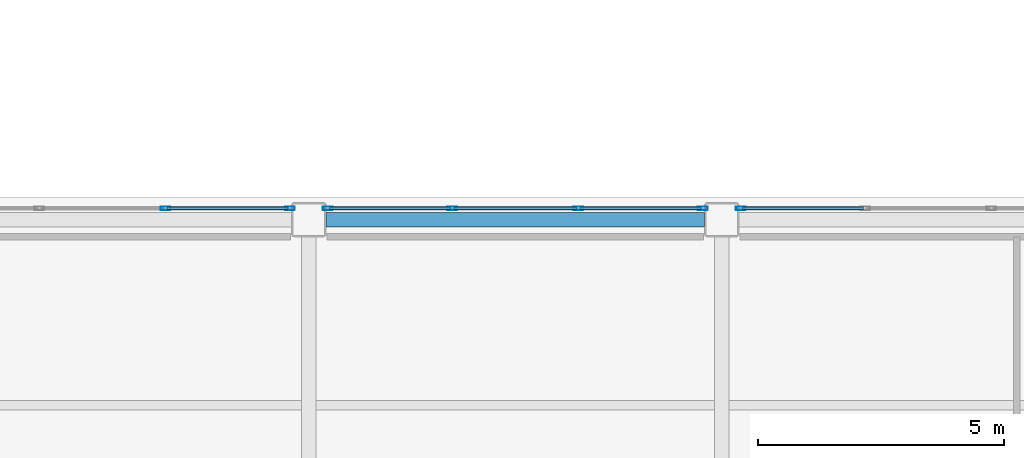
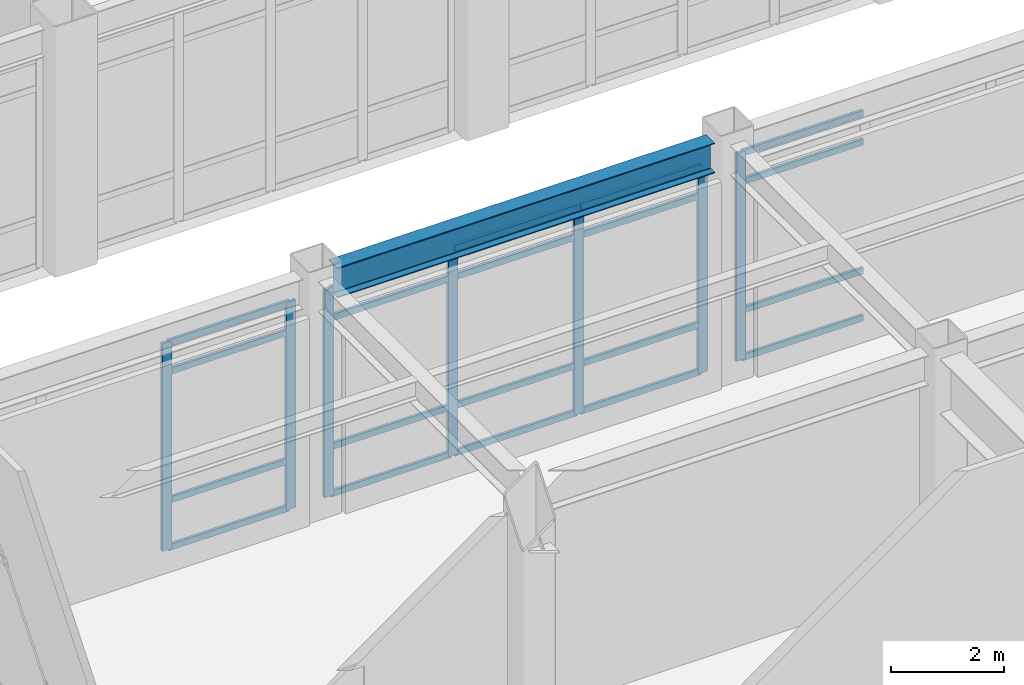
# One storey, part 27 of 165: 27 members, 1 beam, 3 elements without a shape of their own.
"""IFC4 building model written with IfcOpenShell, lengths in metres."""

from ifc_helpers import new_model, si_unit, direction, frame, origin, origin_2d, place, context, subcontext, project, spatial, hollow_rectangle, i_section, extrude, material, layer, layer_set, material_profile, profile_set, type_object, element, aggregate, save


model = new_model("IFC4")

# Units and contexts
model_context = context("Model", 3, precision=1e-05, world=origin(), true_north=direction((0.0, 1.0)))
body_context = subcontext(model_context, "Body", "Model", "MODEL_VIEW")
ifc_project = project(units=[si_unit("LENGTHUNIT", "METRE"), si_unit("AREAUNIT", "SQUARE_METRE"), si_unit("VOLUMEUNIT", "CUBIC_METRE"), si_unit("PLANEANGLEUNIT", "RADIAN"), si_unit("MASSUNIT", "GRAM", prefix="KILO")], contexts=[model_context])

# Site, building, storey
site_placement = place(None, origin())
site = spatial("IfcSite", under=ifc_project, at=site_placement, CompositionType="ELEMENT")
building_placement = place(site_placement, origin())
building = spatial("IfcBuilding", under=site, at=building_placement, Name="Kazehara Bluff Congress Hotel", CompositionType="ELEMENT")
storey_placement = place(building_placement, origin())
storey = spatial("IfcBuildingStorey", under=building, at=storey_placement, Name="L00", CompositionType="ELEMENT", Elevation=0.0)

# Curtain wall, members
ifc_material_1 = material(Name="Anodised aluminium", Category="aluminium")
ifc_layer = layer(ifc_material_1, 0.159912109375)
ifc_layer_set = layer_set([ifc_layer], Name="Anodised aluminium")
curtain_wall_type = type_object("IfcCurtainWallType", Name="TP-CW-26", PredefinedType="NOTDEFINED", material=ifc_layer_set)
curtain_wall_1_placement = place(storey_placement, origin())
curtain_wall_1 = element("IfcCurtainWall", 1, at=curtain_wall_1_placement, inside=storey, type_object=curtain_wall_type, Name="L00 curtain wall CW-26 CW-ENC-V2-L00-2940-3978", PredefinedType="NOTDEFINED")
ifc_material_2 = material(Name="Anodised aluminium", Category="aluminium")
ifc_material_profile_1 = material_profile(ifc_material_2, hollow_rectangle(XDim=0.070068359375, YDim=0.199951171875, WallThickness=0.0048828125, InnerFilletRadius=0.0048828125, OuterFilletRadius=0.010009765625, at=origin_2d()))
ifc_profile_set_1 = profile_set([ifc_material_profile_1], Name="Anodised aluminium")
member_type_1 = type_object("IfcMemberType", Name="TP-CWM-03", PredefinedType="MULLION", material=ifc_profile_set_1)
member_1_placement = place(storey_placement, frame((30.683349609375, 39.780029296875, 0.0), z_axis=(0.0, 0.0, 1.0), x_axis=(0.0, 1.0, 0.0)))
member_1 = element("IfcMember", 2, at=member_1_placement, type_object=member_type_1, Name="CW-26 mullion 3", PredefinedType="MULLION", context=body_context, shape_type="SweptSolid", body=[
    extrude(hollow_rectangle(XDim=0.070068359375, YDim=0.199951171875, WallThickness=0.0048828125, InnerFilletRadius=0.0048828125, OuterFilletRadius=0.010009765625, at=origin_2d()), origin(), (0.0, 0.0, 1.0), 4.47509765625),
])
member_2_placement = place(storey_placement, frame((33.215087890625, 39.780029296875, 0.0), z_axis=(0.0, 0.0, 1.0), x_axis=(0.0, 1.0, 0.0)))
member_2 = element("IfcMember", 3, at=member_2_placement, type_object=member_type_1, Name="CW-26 mullion 4", PredefinedType="MULLION", context=body_context, shape_type="SweptSolid", body=[
    extrude(hollow_rectangle(XDim=0.070068359375, YDim=0.199951171875, WallThickness=0.0048828125, InnerFilletRadius=0.0048828125, OuterFilletRadius=0.010009765625, at=origin_2d()), origin(), (0.0, 0.0, 1.0), 4.47509765625),
])

curtain_wall_2_placement = place(storey_placement, origin())
curtain_wall_2 = element("IfcCurtainWall", 4, at=curtain_wall_2_placement, inside=storey, type_object=curtain_wall_type, Name="L00 curtain wall CW-26 CW-ENC-V2-L00-3780-3978", PredefinedType="NOTDEFINED")
member_3_placement = place(storey_placement, frame((33.985107421875, 39.780029296875, 0.0), z_axis=(0.0, 0.0, 1.0), x_axis=(0.0, 1.0, 0.0)))
member_3 = element("IfcMember", 5, at=member_3_placement, type_object=member_type_1, Name="CW-26 mullion 1", PredefinedType="MULLION", context=body_context, shape_type="SweptSolid", body=[
    extrude(hollow_rectangle(XDim=0.070068359375, YDim=0.199951171875, WallThickness=0.0048828125, InnerFilletRadius=0.0048828125, OuterFilletRadius=0.010009765625, at=origin_2d()), origin(), (0.0, 0.0, 1.0), 4.47509765625),
])
member_4_placement = place(storey_placement, frame((36.5166015625, 39.780029296875, 0.0), z_axis=(0.0, 0.0, 1.0), x_axis=(0.0, 1.0, 0.0)))
member_4 = element("IfcMember", 6, at=member_4_placement, type_object=member_type_1, Name="CW-26 mullion 2", PredefinedType="MULLION", context=body_context, shape_type="SweptSolid", body=[
    extrude(hollow_rectangle(XDim=0.070068359375, YDim=0.199951171875, WallThickness=0.0048828125, InnerFilletRadius=0.0048828125, OuterFilletRadius=0.010009765625, at=origin_2d()), origin(), (0.0, 0.0, 1.0), 4.47509765625),
])
member_5_placement = place(storey_placement, frame((39.083251953125, 39.780029296875, 0.0), z_axis=(0.0, 0.0, 1.0), x_axis=(0.0, 1.0, 0.0)))
member_5 = element("IfcMember", 7, at=member_5_placement, type_object=member_type_1, Name="CW-26 mullion 3", PredefinedType="MULLION", context=body_context, shape_type="SweptSolid", body=[
    extrude(hollow_rectangle(XDim=0.070068359375, YDim=0.199951171875, WallThickness=0.0048828125, InnerFilletRadius=0.0048828125, OuterFilletRadius=0.010009765625, at=origin_2d()), origin(), (0.0, 0.0, 1.0), 4.47509765625),
])
member_6_placement = place(storey_placement, frame((41.614990234375, 39.780029296875, 0.0), z_axis=(0.0, 0.0, 1.0), x_axis=(0.0, 1.0, 0.0)))
member_6 = element("IfcMember", 8, at=member_6_placement, type_object=member_type_1, Name="CW-26 mullion 4", PredefinedType="MULLION", context=body_context, shape_type="SweptSolid", body=[
    extrude(hollow_rectangle(XDim=0.070068359375, YDim=0.199951171875, WallThickness=0.0048828125, InnerFilletRadius=0.0048828125, OuterFilletRadius=0.010009765625, at=origin_2d()), origin(), (0.0, 0.0, 1.0), 4.47509765625),
])

# Curtain wall, member
curtain_wall_3_placement = place(storey_placement, origin())
curtain_wall_3 = element("IfcCurtainWall", 9, at=curtain_wall_3_placement, inside=storey, type_object=curtain_wall_type, Name="L00 curtain wall CW-26 CW-ENC-V2-L00-4620-3978", PredefinedType="NOTDEFINED")
member_7_placement = place(storey_placement, frame((42.385009765625, 39.780029296875, 0.0), z_axis=(0.0, 0.0, 1.0), x_axis=(0.0, 1.0, 0.0)))
member_7 = element("IfcMember", 10, at=member_7_placement, type_object=member_type_1, Name="CW-26 mullion 1", PredefinedType="MULLION", context=body_context, shape_type="SweptSolid", body=[
    extrude(hollow_rectangle(XDim=0.070068359375, YDim=0.199951171875, WallThickness=0.0048828125, InnerFilletRadius=0.0048828125, OuterFilletRadius=0.010009765625, at=origin_2d()), origin(), (0.0, 0.0, 1.0), 4.47509765625),
])

# Member
ifc_material_3 = material(Name="Anodised aluminium", Category="aluminium")
ifc_material_profile_2 = material_profile(ifc_material_3, hollow_rectangle(XDim=0.06494140625, YDim=0.139892578125, WallThickness=0.00390625, InnerFilletRadius=0.00390625, OuterFilletRadius=0.008056640625, at=origin_2d()))
ifc_profile_set_2 = profile_set([ifc_material_profile_2], Name="Anodised aluminium")
member_type_2 = type_object("IfcMemberType", Name="TP-CWT-02", PredefinedType="USERDEFINED", material=ifc_profile_set_2)
member_8_placement = place(storey_placement, frame((30.71826171875, 39.780029296875, 0.032470703125), z_axis=(1.0, 0.0, 0.0), x_axis=(0.0, 1.0, 0.0)))
member_8 = element("IfcMember", 11, at=member_8_placement, type_object=member_type_2, Name="CW-26 transom 3.1", ObjectType="TRANSOM", PredefinedType="USERDEFINED", context=body_context, shape_type="SweptSolid", body=[
    extrude(hollow_rectangle(XDim=0.06494140625, YDim=0.139892578125, WallThickness=0.00390625, InnerFilletRadius=0.00390625, OuterFilletRadius=0.008056640625, at=origin_2d()), origin(), (0.0, 0.0, 1.0), 2.461669921875),
])

member_9_placement = place(storey_placement, frame((30.71826171875, 39.780029296875, 1.050048828125), z_axis=(1.0, 0.0, 0.0), x_axis=(0.0, 1.0, 0.0)))
member_9 = element("IfcMember", 12, at=member_9_placement, type_object=member_type_2, Name="CW-26 transom 3.2", ObjectType="TRANSOM", PredefinedType="USERDEFINED", context=body_context, shape_type="SweptSolid", body=[
    extrude(hollow_rectangle(XDim=0.06494140625, YDim=0.139892578125, WallThickness=0.00390625, InnerFilletRadius=0.00390625, OuterFilletRadius=0.008056640625, at=origin_2d()), origin(), (0.0, 0.0, 1.0), 2.461669921875),
])

member_10_placement = place(storey_placement, frame((30.71826171875, 39.780029296875, 3.824951171875), z_axis=(1.0, 0.0, 0.0), x_axis=(0.0, 1.0, 0.0)))
member_10 = element("IfcMember", 13, at=member_10_placement, type_object=member_type_2, Name="CW-26 transom 3.3", ObjectType="TRANSOM", PredefinedType="USERDEFINED", context=body_context, shape_type="SweptSolid", body=[
    extrude(hollow_rectangle(XDim=0.06494140625, YDim=0.139892578125, WallThickness=0.00390625, InnerFilletRadius=0.00390625, OuterFilletRadius=0.008056640625, at=origin_2d()), origin(), (0.0, 0.0, 1.0), 2.461669921875),
])

member_11_placement = place(storey_placement, frame((30.71826171875, 39.780029296875, 4.4423828125), z_axis=(1.0, 0.0, 0.0), x_axis=(0.0, 1.0, 0.0)))
member_11 = element("IfcMember", 14, at=member_11_placement, type_object=member_type_2, Name="CW-26 transom 3.4", ObjectType="TRANSOM", PredefinedType="USERDEFINED", context=body_context, shape_type="SweptSolid", body=[
    extrude(hollow_rectangle(XDim=0.06494140625, YDim=0.139892578125, WallThickness=0.00390625, InnerFilletRadius=0.00390625, OuterFilletRadius=0.008056640625, at=origin_2d()), origin(), (0.0, 0.0, 1.0), 2.461669921875),
])

aggregate(curtain_wall_1, [member_1, member_2, member_8, member_9, member_10, member_11])

member_12_placement = place(storey_placement, frame((34.02001953125, 39.780029296875, 0.032470703125), z_axis=(1.0, 0.0, 0.0), x_axis=(0.0, 1.0, 0.0)))
member_12 = element("IfcMember", 15, at=member_12_placement, type_object=member_type_2, Name="CW-26 transom 1.1", ObjectType="TRANSOM", PredefinedType="USERDEFINED", context=body_context, shape_type="SweptSolid", body=[
    extrude(hollow_rectangle(XDim=0.06494140625, YDim=0.139892578125, WallThickness=0.00390625, InnerFilletRadius=0.00390625, OuterFilletRadius=0.008056640625, at=origin_2d()), origin(), (0.0, 0.0, 1.0), 2.461669921875),
])

member_13_placement = place(storey_placement, frame((34.02001953125, 39.780029296875, 1.050048828125), z_axis=(1.0, 0.0, 0.0), x_axis=(0.0, 1.0, 0.0)))
member_13 = element("IfcMember", 16, at=member_13_placement, type_object=member_type_2, Name="CW-26 transom 1.2", ObjectType="TRANSOM", PredefinedType="USERDEFINED", context=body_context, shape_type="SweptSolid", body=[
    extrude(hollow_rectangle(XDim=0.06494140625, YDim=0.139892578125, WallThickness=0.00390625, InnerFilletRadius=0.00390625, OuterFilletRadius=0.008056640625, at=origin_2d()), origin(), (0.0, 0.0, 1.0), 2.461669921875),
])

member_14_placement = place(storey_placement, frame((34.02001953125, 39.780029296875, 3.824951171875), z_axis=(1.0, 0.0, 0.0), x_axis=(0.0, 1.0, 0.0)))
member_14 = element("IfcMember", 17, at=member_14_placement, type_object=member_type_2, Name="CW-26 transom 1.3", ObjectType="TRANSOM", PredefinedType="USERDEFINED", context=body_context, shape_type="SweptSolid", body=[
    extrude(hollow_rectangle(XDim=0.06494140625, YDim=0.139892578125, WallThickness=0.00390625, InnerFilletRadius=0.00390625, OuterFilletRadius=0.008056640625, at=origin_2d()), origin(), (0.0, 0.0, 1.0), 2.461669921875),
])

member_15_placement = place(storey_placement, frame((34.02001953125, 39.780029296875, 4.4423828125), z_axis=(1.0, 0.0, 0.0), x_axis=(0.0, 1.0, 0.0)))
member_15 = element("IfcMember", 18, at=member_15_placement, type_object=member_type_2, Name="CW-26 transom 1.4", ObjectType="TRANSOM", PredefinedType="USERDEFINED", context=body_context, shape_type="SweptSolid", body=[
    extrude(hollow_rectangle(XDim=0.06494140625, YDim=0.139892578125, WallThickness=0.00390625, InnerFilletRadius=0.00390625, OuterFilletRadius=0.008056640625, at=origin_2d()), origin(), (0.0, 0.0, 1.0), 2.461669921875),
])

member_16_placement = place(storey_placement, frame((36.5517578125, 39.780029296875, 0.032470703125), z_axis=(1.0, 0.0, 0.0), x_axis=(0.0, 1.0, 0.0)))
member_16 = element("IfcMember", 19, at=member_16_placement, type_object=member_type_2, Name="CW-26 transom 2.1", ObjectType="TRANSOM", PredefinedType="USERDEFINED", context=body_context, shape_type="SweptSolid", body=[
    extrude(hollow_rectangle(XDim=0.06494140625, YDim=0.139892578125, WallThickness=0.00390625, InnerFilletRadius=0.00390625, OuterFilletRadius=0.008056640625, at=origin_2d()), origin(), (0.0, 0.0, 1.0), 2.49658203125),
])

member_17_placement = place(storey_placement, frame((36.5517578125, 39.780029296875, 1.050048828125), z_axis=(1.0, 0.0, 0.0), x_axis=(0.0, 1.0, 0.0)))
member_17 = element("IfcMember", 20, at=member_17_placement, type_object=member_type_2, Name="CW-26 transom 2.2", ObjectType="TRANSOM", PredefinedType="USERDEFINED", context=body_context, shape_type="SweptSolid", body=[
    extrude(hollow_rectangle(XDim=0.06494140625, YDim=0.139892578125, WallThickness=0.00390625, InnerFilletRadius=0.00390625, OuterFilletRadius=0.008056640625, at=origin_2d()), origin(), (0.0, 0.0, 1.0), 2.49658203125),
])

member_18_placement = place(storey_placement, frame((36.5517578125, 39.780029296875, 3.824951171875), z_axis=(1.0, 0.0, 0.0), x_axis=(0.0, 1.0, 0.0)))
member_18 = element("IfcMember", 21, at=member_18_placement, type_object=member_type_2, Name="CW-26 transom 2.3", ObjectType="TRANSOM", PredefinedType="USERDEFINED", context=body_context, shape_type="SweptSolid", body=[
    extrude(hollow_rectangle(XDim=0.06494140625, YDim=0.139892578125, WallThickness=0.00390625, InnerFilletRadius=0.00390625, OuterFilletRadius=0.008056640625, at=origin_2d()), origin(), (0.0, 0.0, 1.0), 2.49658203125),
])

member_19_placement = place(storey_placement, frame((36.5517578125, 39.780029296875, 4.4423828125), z_axis=(1.0, 0.0, 0.0), x_axis=(0.0, 1.0, 0.0)))
member_19 = element("IfcMember", 22, at=member_19_placement, type_object=member_type_2, Name="CW-26 transom 2.4", ObjectType="TRANSOM", PredefinedType="USERDEFINED", context=body_context, shape_type="SweptSolid", body=[
    extrude(hollow_rectangle(XDim=0.06494140625, YDim=0.139892578125, WallThickness=0.00390625, InnerFilletRadius=0.00390625, OuterFilletRadius=0.008056640625, at=origin_2d()), origin(), (0.0, 0.0, 1.0), 2.49658203125),
])

member_20_placement = place(storey_placement, frame((39.118408203125, 39.780029296875, 0.032470703125), z_axis=(1.0, 0.0, 0.0), x_axis=(0.0, 1.0, 0.0)))
member_20 = element("IfcMember", 23, at=member_20_placement, type_object=member_type_2, Name="CW-26 transom 3.1", ObjectType="TRANSOM", PredefinedType="USERDEFINED", context=body_context, shape_type="SweptSolid", body=[
    extrude(hollow_rectangle(XDim=0.06494140625, YDim=0.139892578125, WallThickness=0.00390625, InnerFilletRadius=0.00390625, OuterFilletRadius=0.008056640625, at=origin_2d()), origin(), (0.0, 0.0, 1.0), 2.461669921875),
])

member_21_placement = place(storey_placement, frame((39.118408203125, 39.780029296875, 1.050048828125), z_axis=(1.0, 0.0, 0.0), x_axis=(0.0, 1.0, 0.0)))
member_21 = element("IfcMember", 24, at=member_21_placement, type_object=member_type_2, Name="CW-26 transom 3.2", ObjectType="TRANSOM", PredefinedType="USERDEFINED", context=body_context, shape_type="SweptSolid", body=[
    extrude(hollow_rectangle(XDim=0.06494140625, YDim=0.139892578125, WallThickness=0.00390625, InnerFilletRadius=0.00390625, OuterFilletRadius=0.008056640625, at=origin_2d()), origin(), (0.0, 0.0, 1.0), 2.461669921875),
])

member_22_placement = place(storey_placement, frame((39.118408203125, 39.780029296875, 3.824951171875), z_axis=(1.0, 0.0, 0.0), x_axis=(0.0, 1.0, 0.0)))
member_22 = element("IfcMember", 25, at=member_22_placement, type_object=member_type_2, Name="CW-26 transom 3.3", ObjectType="TRANSOM", PredefinedType="USERDEFINED", context=body_context, shape_type="SweptSolid", body=[
    extrude(hollow_rectangle(XDim=0.06494140625, YDim=0.139892578125, WallThickness=0.00390625, InnerFilletRadius=0.00390625, OuterFilletRadius=0.008056640625, at=origin_2d()), origin(), (0.0, 0.0, 1.0), 2.461669921875),
])

member_23_placement = place(storey_placement, frame((39.118408203125, 39.780029296875, 4.4423828125), z_axis=(1.0, 0.0, 0.0), x_axis=(0.0, 1.0, 0.0)))
member_23 = element("IfcMember", 26, at=member_23_placement, type_object=member_type_2, Name="CW-26 transom 3.4", ObjectType="TRANSOM", PredefinedType="USERDEFINED", context=body_context, shape_type="SweptSolid", body=[
    extrude(hollow_rectangle(XDim=0.06494140625, YDim=0.139892578125, WallThickness=0.00390625, InnerFilletRadius=0.00390625, OuterFilletRadius=0.008056640625, at=origin_2d()), origin(), (0.0, 0.0, 1.0), 2.461669921875),
])

aggregate(curtain_wall_2, [member_3, member_4, member_5, member_6, member_12, member_13, member_14, member_15, member_16, member_17, member_18, member_19, member_20, member_21, member_22, member_23])

member_24_placement = place(storey_placement, frame((42.419921875, 39.780029296875, 0.032470703125), z_axis=(1.0, 0.0, 0.0), x_axis=(0.0, 1.0, 0.0)))
member_24 = element("IfcMember", 27, at=member_24_placement, type_object=member_type_2, Name="CW-26 transom 1.1", ObjectType="TRANSOM", PredefinedType="USERDEFINED", context=body_context, shape_type="SweptSolid", body=[
    extrude(hollow_rectangle(XDim=0.06494140625, YDim=0.139892578125, WallThickness=0.00390625, InnerFilletRadius=0.00390625, OuterFilletRadius=0.008056640625, at=origin_2d()), origin(), (0.0, 0.0, 1.0), 2.461669921875),
])

member_25_placement = place(storey_placement, frame((42.419921875, 39.780029296875, 1.050048828125), z_axis=(1.0, 0.0, 0.0), x_axis=(0.0, 1.0, 0.0)))
member_25 = element("IfcMember", 28, at=member_25_placement, type_object=member_type_2, Name="CW-26 transom 1.2", ObjectType="TRANSOM", PredefinedType="USERDEFINED", context=body_context, shape_type="SweptSolid", body=[
    extrude(hollow_rectangle(XDim=0.06494140625, YDim=0.139892578125, WallThickness=0.00390625, InnerFilletRadius=0.00390625, OuterFilletRadius=0.008056640625, at=origin_2d()), origin(), (0.0, 0.0, 1.0), 2.461669921875),
])

member_26_placement = place(storey_placement, frame((42.419921875, 39.780029296875, 3.824951171875), z_axis=(1.0, 0.0, 0.0), x_axis=(0.0, 1.0, 0.0)))
member_26 = element("IfcMember", 29, at=member_26_placement, type_object=member_type_2, Name="CW-26 transom 1.3", ObjectType="TRANSOM", PredefinedType="USERDEFINED", context=body_context, shape_type="SweptSolid", body=[
    extrude(hollow_rectangle(XDim=0.06494140625, YDim=0.139892578125, WallThickness=0.00390625, InnerFilletRadius=0.00390625, OuterFilletRadius=0.008056640625, at=origin_2d()), origin(), (0.0, 0.0, 1.0), 2.461669921875),
])

member_27_placement = place(storey_placement, frame((42.419921875, 39.780029296875, 4.4423828125), z_axis=(1.0, 0.0, 0.0), x_axis=(0.0, 1.0, 0.0)))
member_27 = element("IfcMember", 30, at=member_27_placement, type_object=member_type_2, Name="CW-26 transom 1.4", ObjectType="TRANSOM", PredefinedType="USERDEFINED", context=body_context, shape_type="SweptSolid", body=[
    extrude(hollow_rectangle(XDim=0.06494140625, YDim=0.139892578125, WallThickness=0.00390625, InnerFilletRadius=0.00390625, OuterFilletRadius=0.008056640625, at=origin_2d()), origin(), (0.0, 0.0, 1.0), 2.461669921875),
])

aggregate(curtain_wall_3, [member_7, member_24, member_25, member_26, member_27])

# Beam
ifc_material_4 = material(Name="Steel SN490B", Category="steel")
ifc_material_profile_3 = material_profile(ifc_material_4, i_section(OverallWidth=0.300048828125, OverallDepth=0.64990234375, WebThickness=0.011962890625, FlangeThickness=0.02001953125, FilletRadius=0.012939453125, at=origin_2d()))
ifc_profile_set_3 = profile_set([ifc_material_profile_3], Name="Steel SN490B")
beam_type = type_object("IfcBeamType", Name="TP-G-03", PredefinedType="BEAM", material=ifc_profile_set_3)
beam_placement = place(storey_placement, frame((33.949951171875, 39.550048828125, 4.824951171875), z_axis=(1.0, 0.0, 0.0), x_axis=(0.0, 1.0, 0.0)))
element("IfcBeam", 31, at=beam_placement, inside=storey, type_object=beam_type, Name="L00 girder G-03 96", PredefinedType="BEAM", context=body_context, shape_type="SweptSolid", body=[
    extrude(i_section(OverallWidth=0.300048828125, OverallDepth=0.64990234375, WebThickness=0.011962890625, FlangeThickness=0.02001953125, FilletRadius=0.012939453125, at=origin_2d()), origin(), (0.0, 0.0, 1.0), 7.699951171875),
])

save(model, "model.ifc")
